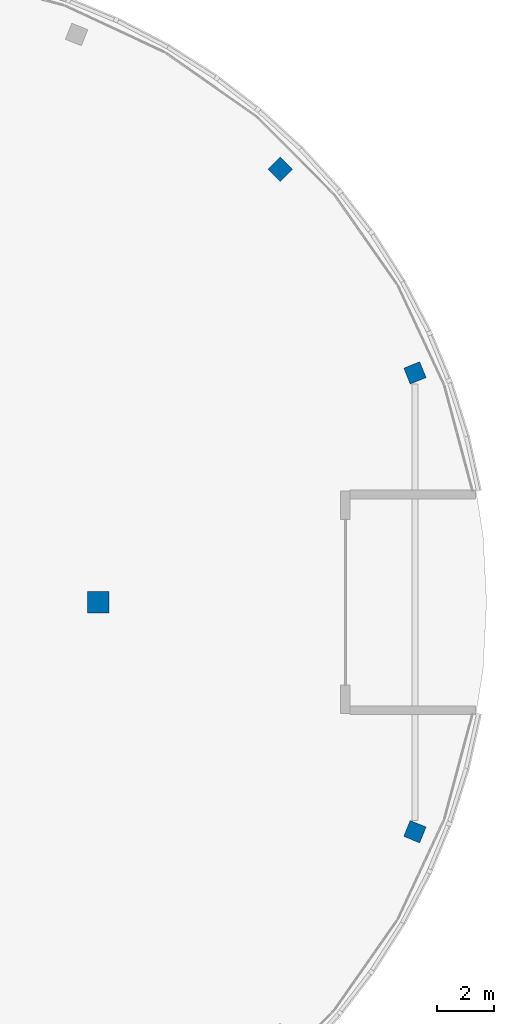
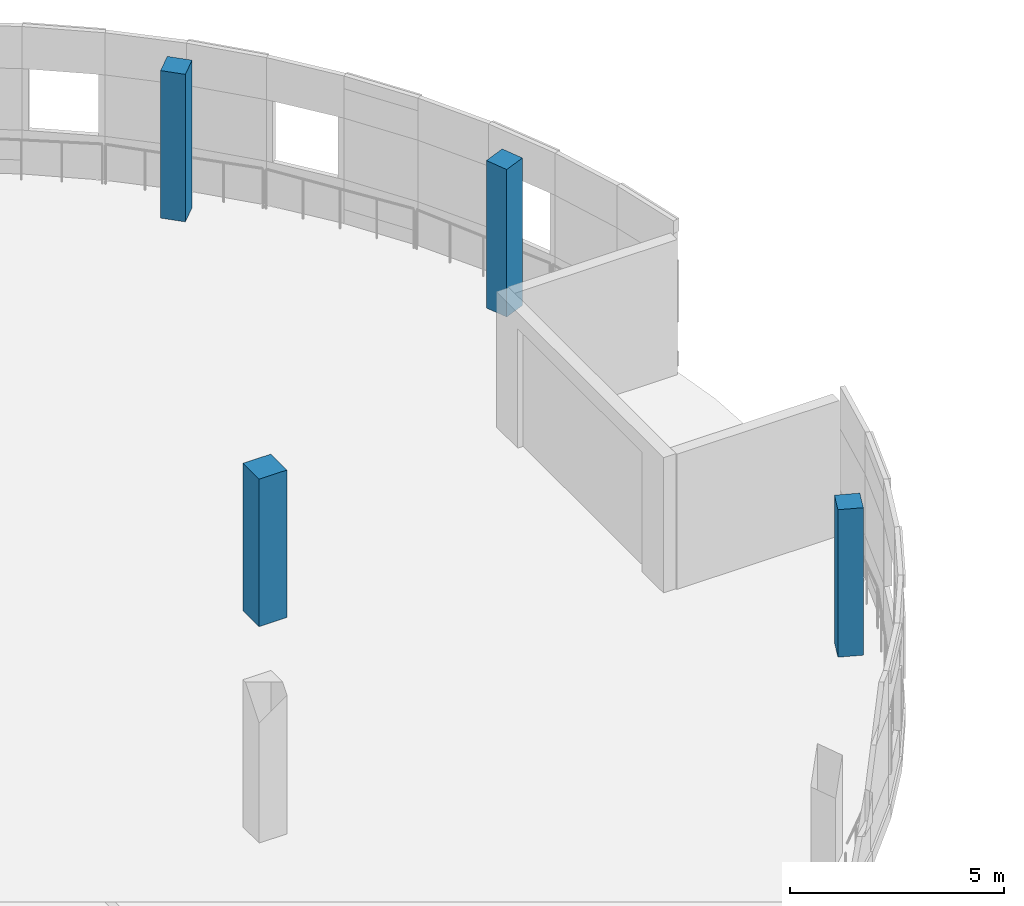
# One storey, part 22 of 140: 4 columns.
"""IFC4 building model written with IfcOpenShell, lengths in metres."""

from ifc_helpers import new_model, si_unit, direction, frame, origin, origin_2d, place, context, subcontext, project, spatial, rectangle, extrude, material, material_profile, profile_set, type_object, element, save


model = new_model("IFC4")

# Units and contexts
model_context = context("Model", 3, precision=1e-05, world=origin(), true_north=direction((0.0, 1.0)))
body_context = subcontext(model_context, "Body", "Model", "MODEL_VIEW")
ifc_project = project(units=[si_unit("LENGTHUNIT", "METRE"), si_unit("AREAUNIT", "SQUARE_METRE"), si_unit("VOLUMEUNIT", "CUBIC_METRE"), si_unit("PLANEANGLEUNIT", "RADIAN"), si_unit("MASSUNIT", "GRAM", prefix="KILO")], contexts=[model_context])

# Site, building, storey
site_placement = place(None, origin())
site = spatial("IfcSite", under=ifc_project, at=site_placement, CompositionType="ELEMENT")
building_placement = place(site_placement, origin())
building = spatial("IfcBuilding", under=site, at=building_placement, Name="Deido Ridge Mobility Hub", CompositionType="ELEMENT")
storey_placement = place(building_placement, origin())
storey = spatial("IfcBuildingStorey", under=building, at=storey_placement, Name="L00", CompositionType="ELEMENT", Elevation=0.0)

# Columns
ifc_material = material(Name="Concrete C40/50", Category="concrete")
ifc_material_profile_1 = material_profile(ifc_material, rectangle(XDim=0.60009765625, YDim=0.60009765625, at=origin_2d()), Name="RC COL 600x600")
ifc_profile_set_1 = profile_set([ifc_material_profile_1], Name="Concrete C40/50")
column_type_1 = type_object("IfcColumnType", Name="COL-RC600", PredefinedType="COLUMN", material=ifc_profile_set_1)
for number, where, z_axis, x_axis, name in (
    (1, (136.88818359375, 95.464599609375, 0.0), (0.0, 0.0, 1.0), (0.927183854567, -0.374606593416, 0.0), "Structural column RC2"),
    (2, (136.88818359375, 111.535400390625, 0.0), (0.0, 0.0, 1.0), (0.927183854567, 0.374606593416, 0.0), "Structural column RC2"),
    (3, (132.16748046875, 118.66748046875, 0.0), (0.0, 0.0, 1.0), (0.707106781187, 0.707106781187, 0.0), "Structural column RC2"),
):
    element("IfcColumn", number, at=place(storey_placement, frame(where, z_axis=z_axis, x_axis=x_axis)), inside=storey, type_object=column_type_1, Name=name, PredefinedType="COLUMN", context=body_context, shape_type="SweptSolid", body=[
        extrude(rectangle(XDim=0.60009765625, YDim=0.60009765625, at=origin_2d()), origin(), (0.0, 0.0, 1.0), 4.199951171875),
    ])
ifc_material_profile_2 = material_profile(ifc_material, rectangle(XDim=0.75, YDim=0.75, at=origin_2d()), Name="RC COL 750x750")
ifc_profile_set_2 = profile_set([ifc_material_profile_2], Name="Concrete C40/50")
column_type_2 = type_object("IfcColumnType", Name="COL-RC750", PredefinedType="COLUMN", material=ifc_profile_set_2)
column_placement = place(storey_placement, frame((125.800048828125, 103.5, 0.0), z_axis=(0.0, 0.0, 1.0), x_axis=(1.0, 0.0, 0.0)))
element("IfcColumn", 4, at=column_placement, inside=storey, type_object=column_type_2, Name="Structural column RC1", PredefinedType="COLUMN", context=body_context, shape_type="SweptSolid", body=[
    extrude(rectangle(XDim=0.75, YDim=0.75, at=origin_2d()), origin(), (0.0, 0.0, 1.0), 4.199951171875),
])

save(model, "model.ifc")
